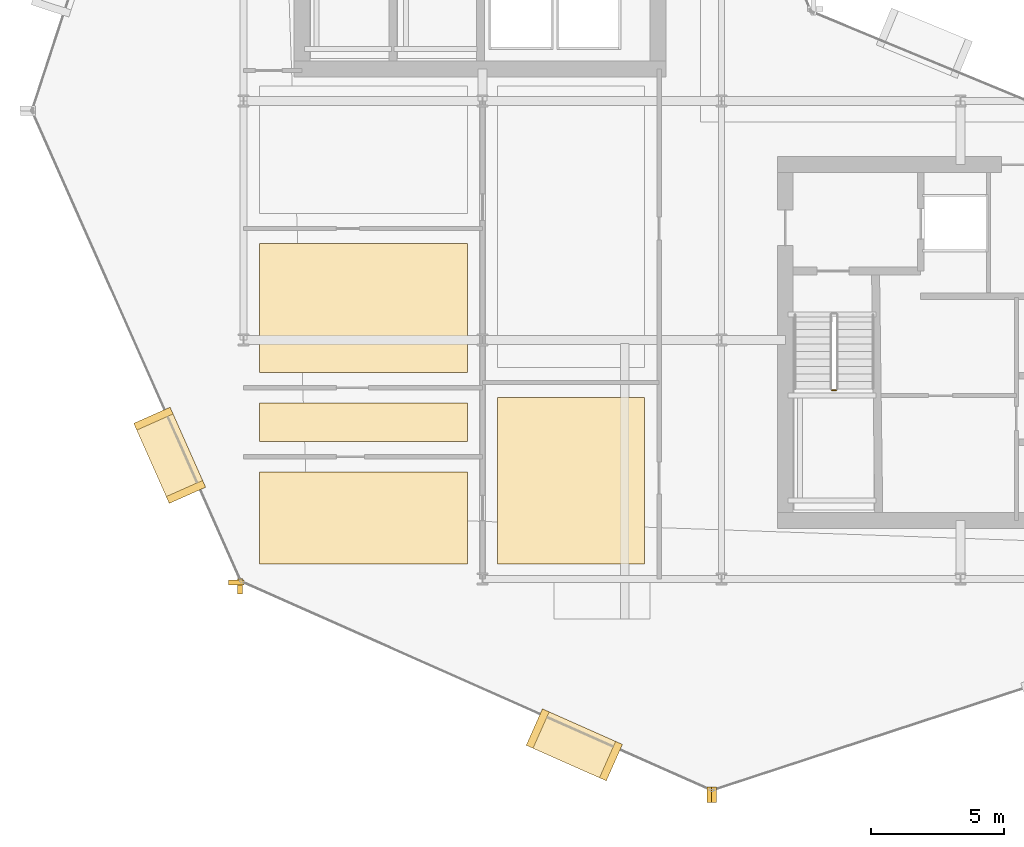
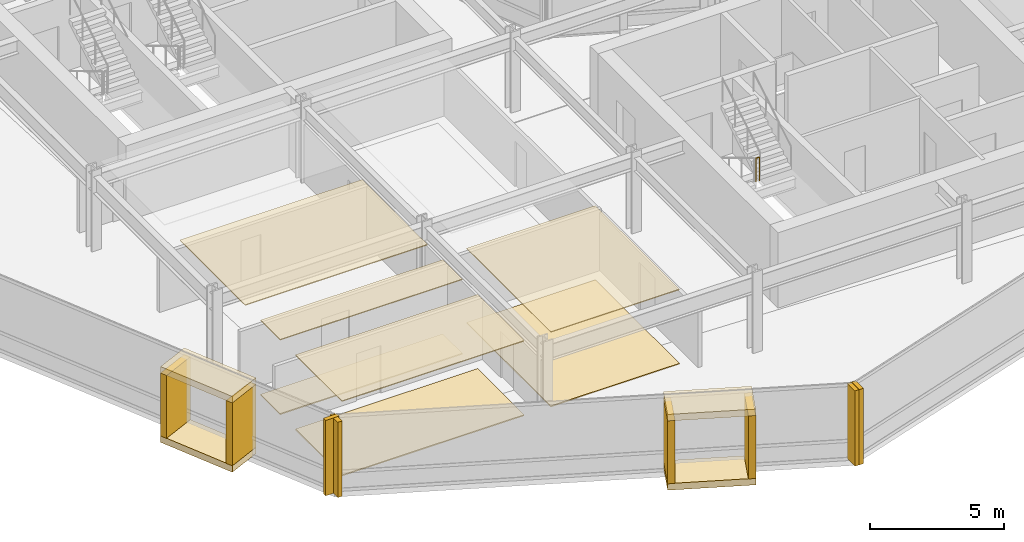
# One storey, part 25 of 29: 19 coverings, 1 railing.
"""IFC4 building model written with IfcOpenShell, lengths in metres."""

from ifc_helpers import new_model, si_unit, direction, frame, origin, origin_2d, place, context, subcontext, project, spatial, polyline, rectangle, circle, outline, extrude, material, layer, layer_set, type_object, element, save


model = new_model("IFC4")

# Units and contexts
model_context = context("Model", 3, precision=1e-05, world=origin(), true_north=direction((0.0, 1.0)))
body_context = subcontext(model_context, "Body", "Model", "MODEL_VIEW")
ifc_project = project(units=[si_unit("LENGTHUNIT", "METRE"), si_unit("AREAUNIT", "SQUARE_METRE"), si_unit("VOLUMEUNIT", "CUBIC_METRE"), si_unit("PLANEANGLEUNIT", "RADIAN"), si_unit("MASSUNIT", "GRAM", prefix="KILO")], contexts=[model_context])

# Site, building, storey
site_placement = place(None, origin())
site = spatial("IfcSite", under=ifc_project, at=site_placement, CompositionType="ELEMENT")
building_placement = place(site_placement, origin())
building = spatial("IfcBuilding", under=site, at=building_placement, Name="Solvaryn Broadcast Tower", CompositionType="ELEMENT")
storey_placement = place(building_placement, frame((0.0, 0.0, 113.699951171875)))
storey = spatial("IfcBuildingStorey", under=building, at=storey_placement, Name="L27", CompositionType="ELEMENT", Elevation=113.699951171875)

# Coverings
ifc_material_1 = material(Name="Micro-Perforated Acoustic Gypsum Ceiling", Category="concrete")
ifc_layer_1 = layer(ifc_material_1, 0.0400390625)
ifc_layer_set_1 = layer_set([ifc_layer_1], Name="CV-CEIL-ACOUSTIC")
covering_type_1 = type_object("IfcCoveringType", Name="CV-CEIL-ACOUSTIC", PredefinedType="CEILING", material=ifc_layer_set_1)
covering_1_placement = place(storey_placement, frame((0.0, 0.0, 3.380126953125)))
element("IfcCovering", 1, at=covering_1_placement, inside=storey, type_object=covering_type_1, Name="L27 Room Acoustic Ceiling 1", PredefinedType="CEILING", context=body_context, shape_type="SweptSolid", body=[
    extrude(outline(polyline([(18.570068359375, 9.570068359375), (24.10009765625, 9.570068359375), (24.10009765625, 15.830078125), (18.570068359375, 15.830078125), (18.570068359375, 9.570068359375)])), origin(), (0.0, 0.0, 1.0), 0.0400390625),
])
covering_2_placement = place(storey_placement, frame((0.0, 0.0, 3.380126953125)))
element("IfcCovering", 2, at=covering_2_placement, inside=storey, type_object=covering_type_1, Name="L27 Room Acoustic Ceiling 3", PredefinedType="CEILING", context=body_context, shape_type="SweptSolid", body=[
    extrude(outline(polyline([(9.60009765625, 9.570068359375), (17.429931640625, 9.570068359375), (17.429931640625, 13.030029296875), (9.60009765625, 13.030029296875), (9.60009765625, 9.570068359375)])), origin(), (0.0, 0.0, 1.0), 0.0400390625),
])
covering_3_placement = place(storey_placement, frame((0.0, 0.0, 3.380126953125)))
element("IfcCovering", 3, at=covering_3_placement, inside=storey, type_object=covering_type_1, Name="L27 Room Acoustic Ceiling 4", PredefinedType="CEILING", context=body_context, shape_type="SweptSolid", body=[
    extrude(outline(polyline([(9.60009765625, 14.169921875), (17.429931640625, 14.169921875), (17.429931640625, 15.6298828125), (9.60009765625, 15.6298828125), (9.60009765625, 14.169921875)])), origin(), (0.0, 0.0, 1.0), 0.0400390625),
])
covering_4_placement = place(storey_placement, frame((0.0, 0.0, 3.380126953125)))
element("IfcCovering", 4, at=covering_4_placement, inside=storey, type_object=covering_type_1, Name="L27 Room Acoustic Ceiling 5", PredefinedType="CEILING", context=body_context, shape_type="SweptSolid", body=[
    extrude(outline(polyline([(9.60009765625, 16.77001953125), (17.429931640625, 16.77001953125), (17.429931640625, 21.6298828125), (9.60009765625, 21.6298828125), (9.60009765625, 16.77001953125)])), origin(), (0.0, 0.0, 1.0), 0.0400390625),
])
ifc_material_2 = material(Name="Newsroom Raised Data Access Flooring", Category="steel")
ifc_layer_2 = layer(ifc_material_2, 0.050048828125)
ifc_layer_set_2 = layer_set([ifc_layer_2], Name="CV-FLOOR-RAISED")
covering_type_2 = type_object("IfcCoveringType", Name="CV-FLOOR-RAISED", PredefinedType="FLOORING", material=ifc_layer_set_2)
covering_5_placement = place(storey_placement, origin())
element("IfcCovering", 5, at=covering_5_placement, inside=storey, type_object=covering_type_2, Name="L27 Room Acoustic Floor Finish 1", PredefinedType="FLOORING", context=body_context, shape_type="SweptSolid", body=[
    extrude(outline(polyline([(18.570068359375, 9.570068359375), (24.10009765625, 9.570068359375), (24.10009765625, 15.830078125), (18.570068359375, 15.830078125), (18.570068359375, 9.570068359375)])), origin(), (0.0, 0.0, 1.0), 0.050048828125),
])
covering_6_placement = place(storey_placement, origin())
element("IfcCovering", 6, at=covering_6_placement, inside=storey, type_object=covering_type_2, Name="L27 Room Acoustic Floor Finish 3", PredefinedType="FLOORING", context=body_context, shape_type="SweptSolid", body=[
    extrude(outline(polyline([(9.60009765625, 9.570068359375), (17.429931640625, 9.570068359375), (17.429931640625, 13.030029296875), (9.60009765625, 13.030029296875), (9.60009765625, 9.570068359375)])), origin(), (0.0, 0.0, 1.0), 0.050048828125),
])
covering_7_placement = place(storey_placement, origin())
element("IfcCovering", 7, at=covering_7_placement, inside=storey, type_object=covering_type_2, Name="L27 Room Acoustic Floor Finish 4", PredefinedType="FLOORING", context=body_context, shape_type="SweptSolid", body=[
    extrude(outline(polyline([(9.60009765625, 14.169921875), (17.429931640625, 14.169921875), (17.429931640625, 15.6298828125), (9.60009765625, 15.6298828125), (9.60009765625, 14.169921875)])), origin(), (0.0, 0.0, 1.0), 0.050048828125),
])
ifc_material_3 = material(Name="Glazed Architectural Terracotta Rainscreen Cladding", Category="masonry")
ifc_layer_3 = layer(ifc_material_3, 0.280029296875)
ifc_layer_set_3 = layer_set([ifc_layer_3], Name="CV-TC-CLAD")
covering_type_3 = type_object("IfcCoveringType", Name="CV-TC-CLAD", PredefinedType="CLADDING", material=ifc_layer_set_3)
for number, where, z_axis, x_axis, name in (
    (8, (6.218994140625, 13.656982421875, 3.1298828125), (0.0, 0.0, 1.0), (0.405939269498, -0.913900054426, 0.0), "L27 Projecting Stone Window Box Hood 2"),
    (9, (6.218994140625, 13.656982421875, -0.009765625), (0.0, 0.0, 1.0), (0.405939269498, -0.913900054426, 0.0), "L27 Projecting Stone Window Box Sill 2"),
):
    element("IfcCovering", number, at=place(storey_placement, frame(where, z_axis=z_axis, x_axis=x_axis)), inside=storey, type_object=covering_type_3, Name=name, PredefinedType="CLADDING", context=body_context, shape_type="SweptSolid", body=[
        extrude(rectangle(XDim=3.300048828125, YDim=1.5, at=origin_2d()), origin(), (0.0, 0.0, 1.0), 0.300048828125),
    ])
for number, where, z_axis, x_axis, name in (
    (10, (5.60595703125, 15.037109375, 0.27978515625), (0.0, 0.0, 1.0), (0.405939269498, -0.913900054426, 0.0), "L27 Projecting Stone Window Box Cheek 2-1"),
    (11, (6.83203125, 12.277099609375, 0.27978515625), (0.0, 0.0, 1.0), (0.405939269498, -0.913900054426, 0.0), "L27 Projecting Stone Window Box Cheek 2-2"),
):
    element("IfcCovering", number, at=place(storey_placement, frame(where, z_axis=z_axis, x_axis=x_axis)), inside=storey, type_object=covering_type_3, Name=name, PredefinedType="CLADDING", context=body_context, shape_type="SweptSolid", body=[
        extrude(rectangle(XDim=0.280029296875, YDim=1.5, at=origin_2d()), origin(), (0.0, 0.0, 1.0), 2.860107421875),
    ])
for number, where, z_axis, x_axis, name in (
    (12, (21.45703125, 2.75390625, 3.1298828125), (0.0, 0.0, 1.0), (0.913900054426, -0.405939269498, 0.0), "L27 Projecting Stone Window Box Hood 3"),
    (13, (21.45703125, 2.75390625, -0.009765625), (0.0, 0.0, 1.0), (0.913900054426, -0.405939269498, 0.0), "L27 Projecting Stone Window Box Sill 3"),
):
    element("IfcCovering", number, at=place(storey_placement, frame(where, z_axis=z_axis, x_axis=x_axis)), inside=storey, type_object=covering_type_3, Name=name, PredefinedType="CLADDING", context=body_context, shape_type="SweptSolid", body=[
        extrude(rectangle(XDim=3.300048828125, YDim=1.5, at=origin_2d()), origin(), (0.0, 0.0, 1.0), 0.300048828125),
    ])
for number, where, z_axis, x_axis, name in (
    (14, (20.076904296875, 3.366943359375, 0.27978515625), (0.0, 0.0, 1.0), (0.913900054426, -0.405939269498, 0.0), "L27 Projecting Stone Window Box Cheek 3-1"),
    (15, (22.8369140625, 2.14111328125, 0.27978515625), (0.0, 0.0, 1.0), (0.913900054426, -0.405939269498, 0.0), "L27 Projecting Stone Window Box Cheek 3-2"),
):
    element("IfcCovering", number, at=place(storey_placement, frame(where, z_axis=z_axis, x_axis=x_axis)), inside=storey, type_object=covering_type_3, Name=name, PredefinedType="CLADDING", context=body_context, shape_type="SweptSolid", body=[
        extrude(rectangle(XDim=0.280029296875, YDim=1.5, at=origin_2d()), origin(), (0.0, 0.0, 1.0), 2.860107421875),
    ])
ifc_material_4 = material(Name="Extruded Architectural Terracotta Fin", Category="masonry")
ifc_layer_4 = layer(ifc_material_4, 0.179931640625)
ifc_layer_set_4 = layer_set([ifc_layer_4], Name="CV-TC-FIN")
covering_type_4 = type_object("IfcCoveringType", Name="CV-TC-FIN", PredefinedType="USERDEFINED", material=ifc_layer_set_4)
covering_8_placement = place(storey_placement, frame((8.731689453125, 8.86279296875, 0.0), z_axis=(0.0, 0.0, 1.0), x_axis=(1.0, 0.0, 0.0)))
element("IfcCovering", 16, at=covering_8_placement, inside=storey, type_object=covering_type_4, Name="L27 Terracotta Vertical Fin FIN-L27-DR2-M01", ObjectType="FIN", PredefinedType="USERDEFINED", context=body_context, shape_type="SweptSolid", body=[
    extrude(rectangle(XDim=0.580078125, YDim=0.179931640625, at=origin_2d()), origin(), (0.0, 0.0, 1.0), 3.419921875),
])
for number, where, z_axis, x_axis, name in (
    (17, (8.86279296875, 8.731689453125, 0.0), (0.0, 0.0, 1.0), (1.0, 0.0, 0.0), "L27 Terracotta Vertical Fin FIN-L27-DR3-M00"),
    (18, (26.535888671875, 0.8818359375, 0.0), (0.0, 0.0, 1.0), (1.0, 0.0, 0.0), "L27 Terracotta Vertical Fin FIN-L27-DR3-M01"),
    (19, (26.720703125, 0.872314453125, 0.0), (0.0, 0.0, 1.0), (1.0, 0.0, 0.0), "L27 Terracotta Vertical Fin FIN-L27-DR4-M00"),
):
    element("IfcCovering", number, at=place(storey_placement, frame(where, z_axis=z_axis, x_axis=x_axis)), inside=storey, type_object=covering_type_4, Name=name, ObjectType="FIN", PredefinedType="USERDEFINED", context=body_context, shape_type="SweptSolid", body=[
        extrude(rectangle(XDim=0.179931640625, YDim=0.580078125, at=origin_2d()), origin(), (0.0, 0.0, 1.0), 3.419921875),
    ])

# Railing
ifc_material_5 = material(Name="Painted Steel Stair Well Guard", Category="steel")
railing_type = type_object("IfcRailingType", Name="RL-STAIR-GUARD", PredefinedType="BALUSTRADE", material=ifc_material_5)
railing_placement = place(storey_placement, frame((31.159912109375, 16.110107421875, 1.85009765625)))
element("IfcRailing", 20, at=railing_placement, inside=storey, type_object=railing_type, Name="L27 ST3 stair guard 2", PredefinedType="BALUSTRADE", context=body_context, shape_type="SweptSolid", body=[
    extrude(circle(Radius=0.02392578125, at=origin_2d()), frame((0.0, 0.0, 1.076171875), z_axis=(1.0, 0.0, 0.0), x_axis=(0.0, 1.0, 0.0)), (0.0, 0.0, 1.0), 0.150146484375),
    extrude(circle(Radius=0.02099609375, at=origin_2d()), origin(), (0.0, 0.0, 1.0), 1.052001953125),
    extrude(circle(Radius=0.02099609375, at=origin_2d()), frame((0.150146484375, 0.0, 0.0)), (0.0, 0.0, 1.0), 1.052001953125),
])

save(model, "model.ifc")
